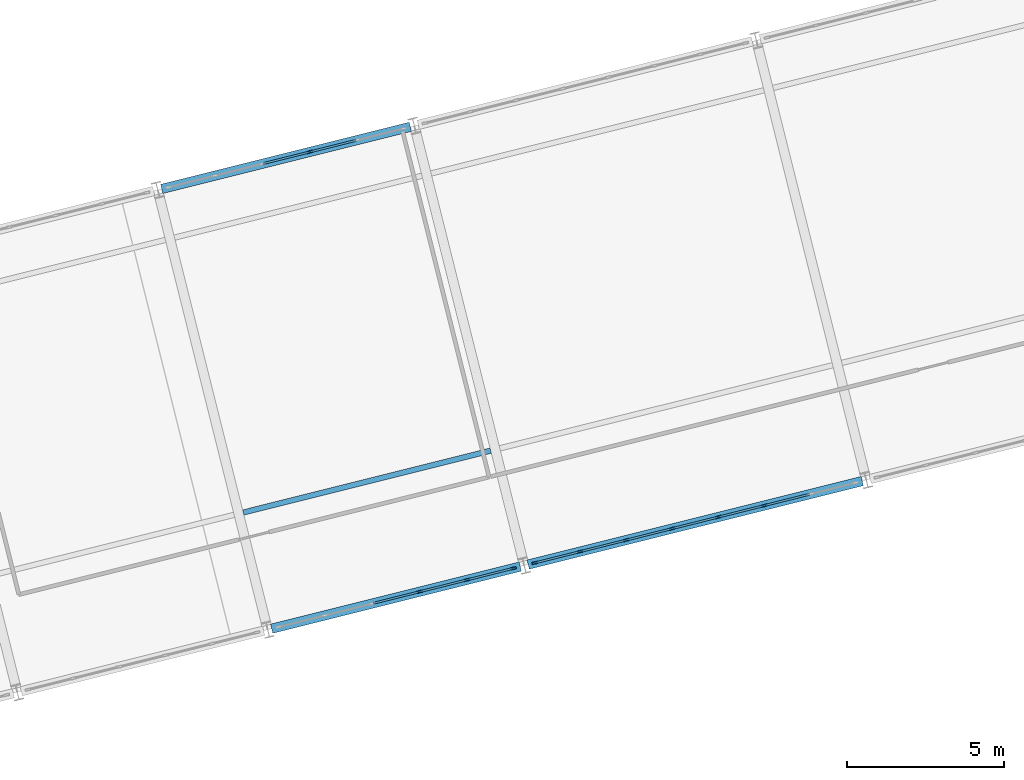
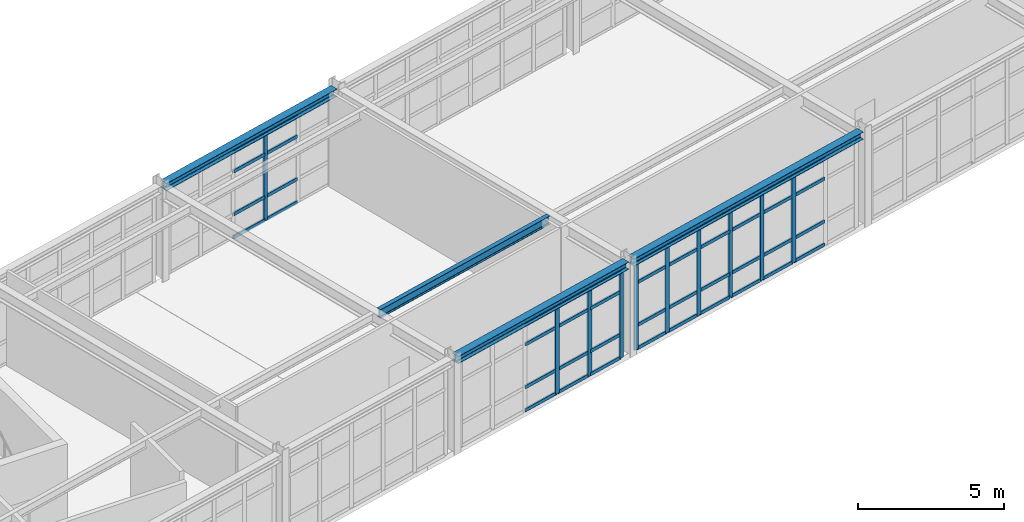
# One storey, part 21 of 88: 54 members, 4 beams, 3 elements without a shape of their own.
"""IFC4 building model written with IfcOpenShell, lengths in metres."""

from ifc_helpers import new_model, si_unit, direction, frame, origin, origin_2d, place, context, subcontext, project, spatial, rectangle, i_section, extrude, material, layer, layer_set, material_profile, profile_set, type_object, element, aggregate, save


model = new_model("IFC4")

# Units and contexts
model_context = context("Model", 3, precision=1e-05, world=origin(), true_north=direction((0.0, 1.0)))
body_context = subcontext(model_context, "Body", "Model", "MODEL_VIEW")
ifc_project = project(units=[si_unit("LENGTHUNIT", "METRE"), si_unit("AREAUNIT", "SQUARE_METRE"), si_unit("VOLUMEUNIT", "CUBIC_METRE"), si_unit("PLANEANGLEUNIT", "RADIAN"), si_unit("MASSUNIT", "GRAM", prefix="KILO")], contexts=[model_context])

# Site, building, storey
site_placement = place(None, origin())
site = spatial("IfcSite", under=ifc_project, at=site_placement, CompositionType="ELEMENT")
building_placement = place(site_placement, origin())
building = spatial("IfcBuilding", under=site, at=building_placement, Name="Nordkorset Police Headquarters", CompositionType="ELEMENT")
storey_placement = place(building_placement, frame((0.0, 0.0, 9.449951171875)))
storey = spatial("IfcBuildingStorey", under=building, at=storey_placement, Name="L02", CompositionType="ELEMENT", Elevation=9.449951171875)

# Beam
ifc_material_1 = material(Name="Steel S355J2", Category="steel")
ifc_material_profile_1 = material_profile(ifc_material_1, i_section(OverallWidth=0.169921875, OverallDepth=0.360107421875, WebThickness=0.008056640625, FlangeThickness=0.0126953125, FilletRadius=0.01806640625, at=origin_2d()), Name="IPE 360")
ifc_profile_set_1 = profile_set([ifc_material_profile_1], Name="Steel S355J2")
beam_type_1 = type_object("IfcBeamType", Name="Beam_IPE_360", PredefinedType="BEAM", material=ifc_profile_set_1)
beam_1_placement = place(storey_placement, frame((42.61474609375, 50.670654296875, 3.7900390625), z_axis=(0.970140727133, 0.242542716974, 0.0), x_axis=(-0.242542716974, 0.970140727133, 0.0)))
element("IfcBeam", 1, at=beam_1_placement, inside=storey, type_object=beam_type_1, Name="Splayed Wing Secondary Beam L02 2-1", PredefinedType="BEAM", context=body_context, shape_type="SweptSolid", body=[
    extrude(i_section(OverallWidth=0.169921875, OverallDepth=0.360107421875, WebThickness=0.008056640625, FlangeThickness=0.0126953125, FilletRadius=0.01806640625, at=origin_2d()), origin(), (0.0, 0.0, 1.0), 8.10009765625),
])

# Curtain wall, members
ifc_material_2 = material(Name="Aluminium alloy AW-6060", Category="aluminium")
ifc_layer_1 = layer(ifc_material_2, 0.179931640625, Name="Aluminium alloy AW-6060")
ifc_layer_set_1 = layer_set([ifc_layer_1], Name="Aluminium alloy AW-6060")
curtain_wall_type_1 = type_object("IfcCurtainWallType", Name="CW_Unit_776x364", PredefinedType="USERDEFINED", material=ifc_layer_set_1)
curtain_wall_1_placement = place(storey_placement, origin())
curtain_wall_1 = element("IfcCurtainWall", 2, at=curtain_wall_1_placement, inside=storey, type_object=curtain_wall_type_1, Name="Unitised Curtain Wall L02 V4S-2", ObjectType="UNITISED CURTAIN WALL", PredefinedType="USERDEFINED")
ifc_material_3 = material(Name="Aluminium alloy AW-6060", Category="aluminium")
ifc_material_profile_2 = material_profile(ifc_material_3, rectangle(XDim=0.06494140625, YDim=0.179931640625, at=origin_2d()), Name="ALU MULL 65x180")
ifc_profile_set_2 = profile_set([ifc_material_profile_2], Name="Aluminium alloy AW-6060")
member_type_1 = type_object("IfcMemberType", Name="CW_Mullion_65x180", PredefinedType="MULLION", material=ifc_profile_set_2)
member_1_placement = place(storey_placement, frame((48.21826171875, 48.154541015625, 0.0), z_axis=(0.0, 0.0, 1.0), x_axis=(-0.24253471539, 0.970142727556, 0.0)))
member_1 = element("IfcMember", 3, at=member_1_placement, type_object=member_type_1, Name="CW-100 mullion 4", PredefinedType="MULLION", context=body_context, shape_type="SweptSolid", body=[
    extrude(rectangle(XDim=0.06494140625, YDim=0.179931640625, at=origin_2d()), origin(), (0.0, 0.0, 1.0), 3.64013671875),
])
member_2_placement = place(storey_placement, frame((49.723876953125, 48.531005859375, 0.0), z_axis=(0.0, 0.0, 1.0), x_axis=(-0.24253471539, 0.970142727556, 0.0)))
member_2 = element("IfcMember", 4, at=member_2_placement, type_object=member_type_1, Name="CW-100 mullion 5", PredefinedType="MULLION", context=body_context, shape_type="SweptSolid", body=[
    extrude(rectangle(XDim=0.06494140625, YDim=0.179931640625, at=origin_2d()), origin(), (0.0, 0.0, 1.0), 3.64013671875),
])
member_3_placement = place(storey_placement, frame((51.1982421875, 48.8994140625, 0.0), z_axis=(0.0, 0.0, 1.0), x_axis=(-0.24253471539, 0.970142727556, 0.0)))
member_3 = element("IfcMember", 5, at=member_3_placement, type_object=member_type_1, Name="CW-100 mullion 6", PredefinedType="MULLION", context=body_context, shape_type="SweptSolid", body=[
    extrude(rectangle(XDim=0.06494140625, YDim=0.179931640625, at=origin_2d()), origin(), (0.0, 0.0, 1.0), 3.64013671875),
])

# Curtain wall, member
curtain_wall_2_placement = place(storey_placement, origin())
curtain_wall_2 = element("IfcCurtainWall", 6, at=curtain_wall_2_placement, inside=storey, type_object=curtain_wall_type_1, Name="Unitised Curtain Wall L02 V4N-2", ObjectType="UNITISED CURTAIN WALL", PredefinedType="USERDEFINED")
member_4_placement = place(storey_placement, frame((44.725830078125, 62.124755859375, 0.0), z_axis=(0.0, 0.0, 1.0), x_axis=(-0.242535928242, 0.970142424344, 0.0)))
member_4 = element("IfcMember", 7, at=member_4_placement, type_object=member_type_1, Name="CW-100 mullion 4", PredefinedType="MULLION", context=body_context, shape_type="SweptSolid", body=[
    extrude(rectangle(XDim=0.06494140625, YDim=0.179931640625, at=origin_2d()), origin(), (0.0, 0.0, 1.0), 3.64013671875),
])

# Curtain wall, members
ifc_material_4 = material(Name="Aluminium alloy AW-6060", Category="aluminium")
ifc_layer_2 = layer(ifc_material_4, 0.179931640625, Name="Aluminium alloy AW-6060")
ifc_layer_set_2 = layer_set([ifc_layer_2], Name="Aluminium alloy AW-6060")
curtain_wall_type_2 = type_object("IfcCurtainWallType", Name="CW_Unit_1056x364", PredefinedType="USERDEFINED", material=ifc_layer_set_2)
curtain_wall_3_placement = place(storey_placement, origin())
curtain_wall_3 = element("IfcCurtainWall", 8, at=curtain_wall_3_placement, inside=storey, type_object=curtain_wall_type_2, Name="Unitised Curtain Wall L02 V4S-3", ObjectType="UNITISED CURTAIN WALL", PredefinedType="USERDEFINED")
member_5_placement = place(storey_placement, frame((51.882080078125, 49.070556640625, 0.0), z_axis=(0.0, 0.0, 1.0), x_axis=(-0.242535179399, 0.970142611554, 0.0)))
member_5 = element("IfcMember", 9, at=member_5_placement, type_object=member_type_1, Name="CW-31 mullion 1", PredefinedType="MULLION", context=body_context, shape_type="SweptSolid", body=[
    extrude(rectangle(XDim=0.06494140625, YDim=0.179931640625, at=origin_2d()), origin(), (0.0, 0.0, 1.0), 3.64013671875),
])
member_6_placement = place(storey_placement, frame((53.31396484375, 49.428466796875, 0.0), z_axis=(0.0, 0.0, 1.0), x_axis=(-0.242535179399, 0.970142611554, 0.0)))
member_6 = element("IfcMember", 10, at=member_6_placement, type_object=member_type_1, Name="CW-31 mullion 2", PredefinedType="MULLION", context=body_context, shape_type="SweptSolid", body=[
    extrude(rectangle(XDim=0.06494140625, YDim=0.179931640625, at=origin_2d()), origin(), (0.0, 0.0, 1.0), 3.64013671875),
])
member_7_placement = place(storey_placement, frame((54.777587890625, 49.79443359375, 0.0), z_axis=(0.0, 0.0, 1.0), x_axis=(-0.242535179399, 0.970142611554, 0.0)))
member_7 = element("IfcMember", 11, at=member_7_placement, type_object=member_type_1, Name="CW-31 mullion 3", PredefinedType="MULLION", context=body_context, shape_type="SweptSolid", body=[
    extrude(rectangle(XDim=0.06494140625, YDim=0.179931640625, at=origin_2d()), origin(), (0.0, 0.0, 1.0), 3.64013671875),
])
member_8_placement = place(storey_placement, frame((56.2412109375, 50.160400390625, 0.0), z_axis=(0.0, 0.0, 1.0), x_axis=(-0.242535179399, 0.970142611554, 0.0)))
member_8 = element("IfcMember", 12, at=member_8_placement, type_object=member_type_1, Name="CW-31 mullion 4", PredefinedType="MULLION", context=body_context, shape_type="SweptSolid", body=[
    extrude(rectangle(XDim=0.06494140625, YDim=0.179931640625, at=origin_2d()), origin(), (0.0, 0.0, 1.0), 3.64013671875),
])
member_9_placement = place(storey_placement, frame((57.70458984375, 50.526123046875, 0.0), z_axis=(0.0, 0.0, 1.0), x_axis=(-0.242535179399, 0.970142611554, 0.0)))
member_9 = element("IfcMember", 13, at=member_9_placement, type_object=member_type_1, Name="CW-31 mullion 5", PredefinedType="MULLION", context=body_context, shape_type="SweptSolid", body=[
    extrude(rectangle(XDim=0.06494140625, YDim=0.179931640625, at=origin_2d()), origin(), (0.0, 0.0, 1.0), 3.64013671875),
])
member_10_placement = place(storey_placement, frame((59.168212890625, 50.89208984375, 0.0), z_axis=(0.0, 0.0, 1.0), x_axis=(-0.242535179399, 0.970142611554, 0.0)))
member_10 = element("IfcMember", 14, at=member_10_placement, type_object=member_type_1, Name="CW-31 mullion 6", PredefinedType="MULLION", context=body_context, shape_type="SweptSolid", body=[
    extrude(rectangle(XDim=0.06494140625, YDim=0.179931640625, at=origin_2d()), origin(), (0.0, 0.0, 1.0), 3.64013671875),
])

# Member
ifc_material_5 = material(Name="Aluminium alloy AW-6060", Category="aluminium")
ifc_material_profile_3 = material_profile(ifc_material_5, rectangle(XDim=0.06494140625, YDim=0.139892578125, at=origin_2d()), Name="ALU TRAN 65x140")
ifc_profile_set_3 = profile_set([ifc_material_profile_3], Name="Aluminium alloy AW-6060")
member_type_2 = type_object("IfcMemberType", Name="CW_Transom_65x140", PredefinedType="USERDEFINED", material=ifc_profile_set_3)
member_11_placement = place(storey_placement, frame((46.744140625, 47.7861328125, 0.032470703125), z_axis=(0.970152157148, 0.242496993757, 0.0), x_axis=(-0.242496993757, 0.970152157148, 0.0)))
member_11 = element("IfcMember", 15, at=member_11_placement, type_object=member_type_2, Name="CW-100 transom 3.1", ObjectType="TRANSOM", PredefinedType="USERDEFINED", context=body_context, shape_type="SweptSolid", body=[
    extrude(rectangle(XDim=0.06494140625, YDim=0.139892578125, at=origin_2d()), origin(), (0.0, 0.0, 1.0), 1.487060546875),
])

member_12_placement = place(storey_placement, frame((46.744140625, 47.7861328125, 1.0), z_axis=(0.970152157148, 0.242496993757, 0.0), x_axis=(-0.242496993757, 0.970152157148, 0.0)))
member_12 = element("IfcMember", 16, at=member_12_placement, type_object=member_type_2, Name="CW-100 transom 3.2", ObjectType="TRANSOM", PredefinedType="USERDEFINED", context=body_context, shape_type="SweptSolid", body=[
    extrude(rectangle(XDim=0.06494140625, YDim=0.139892578125, at=origin_2d()), origin(), (0.0, 0.0, 1.0), 1.487060546875),
])

member_13_placement = place(storey_placement, frame((46.744140625, 47.7861328125, 2.7900390625), z_axis=(0.970152157148, 0.242496993757, 0.0), x_axis=(-0.242496993757, 0.970152157148, 0.0)))
member_13 = element("IfcMember", 17, at=member_13_placement, type_object=member_type_2, Name="CW-100 transom 3.3", ObjectType="TRANSOM", PredefinedType="USERDEFINED", context=body_context, shape_type="SweptSolid", body=[
    extrude(rectangle(XDim=0.06494140625, YDim=0.139892578125, at=origin_2d()), origin(), (0.0, 0.0, 1.0), 1.487060546875),
])

member_14_placement = place(storey_placement, frame((46.744140625, 47.7861328125, 3.607666015625), z_axis=(0.970152157148, 0.242496993757, 0.0), x_axis=(-0.242496993757, 0.970152157148, 0.0)))
member_14 = element("IfcMember", 18, at=member_14_placement, type_object=member_type_2, Name="CW-100 transom 3.4", ObjectType="TRANSOM", PredefinedType="USERDEFINED", context=body_context, shape_type="SweptSolid", body=[
    extrude(rectangle(XDim=0.06494140625, YDim=0.139892578125, at=origin_2d()), origin(), (0.0, 0.0, 1.0), 1.487060546875),
])

member_15_placement = place(storey_placement, frame((48.249755859375, 48.162353515625, 0.032470703125), z_axis=(0.970113521062, 0.242651511953, 0.0), x_axis=(-0.242651511953, 0.970113521062, 0.0)))
member_15 = element("IfcMember", 19, at=member_15_placement, type_object=member_type_2, Name="CW-100 transom 4.1", ObjectType="TRANSOM", PredefinedType="USERDEFINED", context=body_context, shape_type="SweptSolid", body=[
    extrude(rectangle(XDim=0.06494140625, YDim=0.139892578125, at=origin_2d()), origin(), (0.0, 0.0, 1.0), 1.487060546875),
])

member_16_placement = place(storey_placement, frame((48.249755859375, 48.162353515625, 1.0), z_axis=(0.970113521062, 0.242651511953, 0.0), x_axis=(-0.242651511953, 0.970113521062, 0.0)))
member_16 = element("IfcMember", 20, at=member_16_placement, type_object=member_type_2, Name="CW-100 transom 4.2", ObjectType="TRANSOM", PredefinedType="USERDEFINED", context=body_context, shape_type="SweptSolid", body=[
    extrude(rectangle(XDim=0.06494140625, YDim=0.139892578125, at=origin_2d()), origin(), (0.0, 0.0, 1.0), 1.487060546875),
])

member_17_placement = place(storey_placement, frame((48.249755859375, 48.162353515625, 2.7900390625), z_axis=(0.970113521062, 0.242651511953, 0.0), x_axis=(-0.242651511953, 0.970113521062, 0.0)))
member_17 = element("IfcMember", 21, at=member_17_placement, type_object=member_type_2, Name="CW-100 transom 4.3", ObjectType="TRANSOM", PredefinedType="USERDEFINED", context=body_context, shape_type="SweptSolid", body=[
    extrude(rectangle(XDim=0.06494140625, YDim=0.139892578125, at=origin_2d()), origin(), (0.0, 0.0, 1.0), 1.487060546875),
])

member_18_placement = place(storey_placement, frame((48.249755859375, 48.162353515625, 3.607666015625), z_axis=(0.970113521062, 0.242651511953, 0.0), x_axis=(-0.242651511953, 0.970113521062, 0.0)))
member_18 = element("IfcMember", 22, at=member_18_placement, type_object=member_type_2, Name="CW-100 transom 4.4", ObjectType="TRANSOM", PredefinedType="USERDEFINED", context=body_context, shape_type="SweptSolid", body=[
    extrude(rectangle(XDim=0.06494140625, YDim=0.139892578125, at=origin_2d()), origin(), (0.0, 0.0, 1.0), 1.487060546875),
])

member_19_placement = place(storey_placement, frame((49.755615234375, 48.538818359375, 0.032470703125), z_axis=(0.970132624514, 0.242575124143, 0.0), x_axis=(-0.242575124143, 0.970132624514, 0.0)))
member_19 = element("IfcMember", 23, at=member_19_placement, type_object=member_type_2, Name="CW-100 transom 5.1", ObjectType="TRANSOM", PredefinedType="USERDEFINED", context=body_context, shape_type="SweptSolid", body=[
    extrude(rectangle(XDim=0.06494140625, YDim=0.139892578125, at=origin_2d()), origin(), (0.0, 0.0, 1.0), 1.454345703125),
])

member_20_placement = place(storey_placement, frame((49.755615234375, 48.538818359375, 1.0), z_axis=(0.970132624514, 0.242575124143, 0.0), x_axis=(-0.242575124143, 0.970132624514, 0.0)))
member_20 = element("IfcMember", 24, at=member_20_placement, type_object=member_type_2, Name="CW-100 transom 5.2", ObjectType="TRANSOM", PredefinedType="USERDEFINED", context=body_context, shape_type="SweptSolid", body=[
    extrude(rectangle(XDim=0.06494140625, YDim=0.139892578125, at=origin_2d()), origin(), (0.0, 0.0, 1.0), 1.454345703125),
])

member_21_placement = place(storey_placement, frame((49.755615234375, 48.538818359375, 2.7900390625), z_axis=(0.970132624514, 0.242575124143, 0.0), x_axis=(-0.242575124143, 0.970132624514, 0.0)))
member_21 = element("IfcMember", 25, at=member_21_placement, type_object=member_type_2, Name="CW-100 transom 5.3", ObjectType="TRANSOM", PredefinedType="USERDEFINED", context=body_context, shape_type="SweptSolid", body=[
    extrude(rectangle(XDim=0.06494140625, YDim=0.139892578125, at=origin_2d()), origin(), (0.0, 0.0, 1.0), 1.454345703125),
])

member_22_placement = place(storey_placement, frame((49.755615234375, 48.538818359375, 3.607666015625), z_axis=(0.970132624514, 0.242575124143, 0.0), x_axis=(-0.242575124143, 0.970132624514, 0.0)))
member_22 = element("IfcMember", 26, at=member_22_placement, type_object=member_type_2, Name="CW-100 transom 5.4", ObjectType="TRANSOM", PredefinedType="USERDEFINED", context=body_context, shape_type="SweptSolid", body=[
    extrude(rectangle(XDim=0.06494140625, YDim=0.139892578125, at=origin_2d()), origin(), (0.0, 0.0, 1.0), 1.454345703125),
])

aggregate(curtain_wall_1, [member_1, member_2, member_3, member_11, member_12, member_13, member_14, member_15, member_16, member_17, member_18, member_19, member_20, member_21, member_22])

member_23_placement = place(storey_placement, frame((43.251708984375, 61.756103515625, 0.032470703125), z_axis=(0.970152157148, 0.242496993757, 0.0), x_axis=(-0.242496993757, 0.970152157148, 0.0)))
member_23 = element("IfcMember", 27, at=member_23_placement, type_object=member_type_2, Name="CW-100 transom 3.1", ObjectType="TRANSOM", PredefinedType="USERDEFINED", context=body_context, shape_type="SweptSolid", body=[
    extrude(rectangle(XDim=0.06494140625, YDim=0.139892578125, at=origin_2d()), origin(), (0.0, 0.0, 1.0), 1.487060546875),
])

member_24_placement = place(storey_placement, frame((43.251708984375, 61.756103515625, 1.0), z_axis=(0.970152157148, 0.242496993757, 0.0), x_axis=(-0.242496993757, 0.970152157148, 0.0)))
member_24 = element("IfcMember", 28, at=member_24_placement, type_object=member_type_2, Name="CW-100 transom 3.2", ObjectType="TRANSOM", PredefinedType="USERDEFINED", context=body_context, shape_type="SweptSolid", body=[
    extrude(rectangle(XDim=0.06494140625, YDim=0.139892578125, at=origin_2d()), origin(), (0.0, 0.0, 1.0), 1.487060546875),
])

member_25_placement = place(storey_placement, frame((43.251708984375, 61.756103515625, 2.7900390625), z_axis=(0.970152157148, 0.242496993757, 0.0), x_axis=(-0.242496993757, 0.970152157148, 0.0)))
member_25 = element("IfcMember", 29, at=member_25_placement, type_object=member_type_2, Name="CW-100 transom 3.3", ObjectType="TRANSOM", PredefinedType="USERDEFINED", context=body_context, shape_type="SweptSolid", body=[
    extrude(rectangle(XDim=0.06494140625, YDim=0.139892578125, at=origin_2d()), origin(), (0.0, 0.0, 1.0), 1.487060546875),
])

member_26_placement = place(storey_placement, frame((43.251708984375, 61.756103515625, 3.607666015625), z_axis=(0.970152157148, 0.242496993757, 0.0), x_axis=(-0.242496993757, 0.970152157148, 0.0)))
member_26 = element("IfcMember", 30, at=member_26_placement, type_object=member_type_2, Name="CW-100 transom 3.4", ObjectType="TRANSOM", PredefinedType="USERDEFINED", context=body_context, shape_type="SweptSolid", body=[
    extrude(rectangle(XDim=0.06494140625, YDim=0.139892578125, at=origin_2d()), origin(), (0.0, 0.0, 1.0), 1.487060546875),
])

member_27_placement = place(storey_placement, frame((44.75732421875, 62.132568359375, 0.032470703125), z_axis=(0.970152157148, 0.242496993757, 0.0), x_axis=(-0.242496993757, 0.970152157148, 0.0)))
member_27 = element("IfcMember", 31, at=member_27_placement, type_object=member_type_2, Name="CW-100 transom 4.1", ObjectType="TRANSOM", PredefinedType="USERDEFINED", context=body_context, shape_type="SweptSolid", body=[
    extrude(rectangle(XDim=0.06494140625, YDim=0.139892578125, at=origin_2d()), origin(), (0.0, 0.0, 1.0), 1.487060546875),
])

member_28_placement = place(storey_placement, frame((44.75732421875, 62.132568359375, 1.0), z_axis=(0.970152157148, 0.242496993757, 0.0), x_axis=(-0.242496993757, 0.970152157148, 0.0)))
member_28 = element("IfcMember", 32, at=member_28_placement, type_object=member_type_2, Name="CW-100 transom 4.2", ObjectType="TRANSOM", PredefinedType="USERDEFINED", context=body_context, shape_type="SweptSolid", body=[
    extrude(rectangle(XDim=0.06494140625, YDim=0.139892578125, at=origin_2d()), origin(), (0.0, 0.0, 1.0), 1.487060546875),
])

member_29_placement = place(storey_placement, frame((44.75732421875, 62.132568359375, 2.7900390625), z_axis=(0.970152157148, 0.242496993757, 0.0), x_axis=(-0.242496993757, 0.970152157148, 0.0)))
member_29 = element("IfcMember", 33, at=member_29_placement, type_object=member_type_2, Name="CW-100 transom 4.3", ObjectType="TRANSOM", PredefinedType="USERDEFINED", context=body_context, shape_type="SweptSolid", body=[
    extrude(rectangle(XDim=0.06494140625, YDim=0.139892578125, at=origin_2d()), origin(), (0.0, 0.0, 1.0), 1.487060546875),
])

member_30_placement = place(storey_placement, frame((44.75732421875, 62.132568359375, 3.607666015625), z_axis=(0.970152157148, 0.242496993757, 0.0), x_axis=(-0.242496993757, 0.970152157148, 0.0)))
member_30 = element("IfcMember", 34, at=member_30_placement, type_object=member_type_2, Name="CW-100 transom 4.4", ObjectType="TRANSOM", PredefinedType="USERDEFINED", context=body_context, shape_type="SweptSolid", body=[
    extrude(rectangle(XDim=0.06494140625, YDim=0.139892578125, at=origin_2d()), origin(), (0.0, 0.0, 1.0), 1.487060546875),
])

aggregate(curtain_wall_2, [member_4, member_23, member_24, member_25, member_26, member_27, member_28, member_29, member_30])

member_31_placement = place(storey_placement, frame((51.91357421875, 49.078369140625, 0.032470703125), z_axis=(0.970132321548, 0.242576335796, 0.0), x_axis=(-0.242576335796, 0.970132321548, 0.0)))
member_31 = element("IfcMember", 35, at=member_31_placement, type_object=member_type_2, Name="CW-31 transom 1.1", ObjectType="TRANSOM", PredefinedType="USERDEFINED", context=body_context, shape_type="SweptSolid", body=[
    extrude(rectangle(XDim=0.06494140625, YDim=0.139892578125, at=origin_2d()), origin(), (0.0, 0.0, 1.0), 1.4111328125),
])

member_32_placement = place(storey_placement, frame((51.91357421875, 49.078369140625, 1.0), z_axis=(0.970132321548, 0.242576335796, 0.0), x_axis=(-0.242576335796, 0.970132321548, 0.0)))
member_32 = element("IfcMember", 36, at=member_32_placement, type_object=member_type_2, Name="CW-31 transom 1.2", ObjectType="TRANSOM", PredefinedType="USERDEFINED", context=body_context, shape_type="SweptSolid", body=[
    extrude(rectangle(XDim=0.06494140625, YDim=0.139892578125, at=origin_2d()), origin(), (0.0, 0.0, 1.0), 1.4111328125),
])

member_33_placement = place(storey_placement, frame((51.91357421875, 49.078369140625, 2.7900390625), z_axis=(0.970132321548, 0.242576335796, 0.0), x_axis=(-0.242576335796, 0.970132321548, 0.0)))
member_33 = element("IfcMember", 37, at=member_33_placement, type_object=member_type_2, Name="CW-31 transom 1.3", ObjectType="TRANSOM", PredefinedType="USERDEFINED", context=body_context, shape_type="SweptSolid", body=[
    extrude(rectangle(XDim=0.06494140625, YDim=0.139892578125, at=origin_2d()), origin(), (0.0, 0.0, 1.0), 1.4111328125),
])

member_34_placement = place(storey_placement, frame((51.91357421875, 49.078369140625, 3.607666015625), z_axis=(0.970132321548, 0.242576335796, 0.0), x_axis=(-0.242576335796, 0.970132321548, 0.0)))
member_34 = element("IfcMember", 38, at=member_34_placement, type_object=member_type_2, Name="CW-31 transom 1.4", ObjectType="TRANSOM", PredefinedType="USERDEFINED", context=body_context, shape_type="SweptSolid", body=[
    extrude(rectangle(XDim=0.06494140625, YDim=0.139892578125, at=origin_2d()), origin(), (0.0, 0.0, 1.0), 1.4111328125),
])

member_35_placement = place(storey_placement, frame((53.345703125, 49.4365234375, 0.032470703125), z_axis=(0.970142500145, 0.242535625036, 0.0), x_axis=(-0.242535625036, 0.970142500145, 0.0)))
member_35 = element("IfcMember", 39, at=member_35_placement, type_object=member_type_2, Name="CW-31 transom 2.1", ObjectType="TRANSOM", PredefinedType="USERDEFINED", context=body_context, shape_type="SweptSolid", body=[
    extrude(rectangle(XDim=0.06494140625, YDim=0.139892578125, at=origin_2d()), origin(), (0.0, 0.0, 1.0), 1.443603515625),
])

member_36_placement = place(storey_placement, frame((53.345703125, 49.4365234375, 1.0), z_axis=(0.970142500145, 0.242535625036, 0.0), x_axis=(-0.242535625036, 0.970142500145, 0.0)))
member_36 = element("IfcMember", 40, at=member_36_placement, type_object=member_type_2, Name="CW-31 transom 2.2", ObjectType="TRANSOM", PredefinedType="USERDEFINED", context=body_context, shape_type="SweptSolid", body=[
    extrude(rectangle(XDim=0.06494140625, YDim=0.139892578125, at=origin_2d()), origin(), (0.0, 0.0, 1.0), 1.443603515625),
])

member_37_placement = place(storey_placement, frame((53.345703125, 49.4365234375, 2.7900390625), z_axis=(0.970142500145, 0.242535625036, 0.0), x_axis=(-0.242535625036, 0.970142500145, 0.0)))
member_37 = element("IfcMember", 41, at=member_37_placement, type_object=member_type_2, Name="CW-31 transom 2.3", ObjectType="TRANSOM", PredefinedType="USERDEFINED", context=body_context, shape_type="SweptSolid", body=[
    extrude(rectangle(XDim=0.06494140625, YDim=0.139892578125, at=origin_2d()), origin(), (0.0, 0.0, 1.0), 1.443603515625),
])

member_38_placement = place(storey_placement, frame((53.345703125, 49.4365234375, 3.607666015625), z_axis=(0.970142500145, 0.242535625036, 0.0), x_axis=(-0.242535625036, 0.970142500145, 0.0)))
member_38 = element("IfcMember", 42, at=member_38_placement, type_object=member_type_2, Name="CW-31 transom 2.4", ObjectType="TRANSOM", PredefinedType="USERDEFINED", context=body_context, shape_type="SweptSolid", body=[
    extrude(rectangle(XDim=0.06494140625, YDim=0.139892578125, at=origin_2d()), origin(), (0.0, 0.0, 1.0), 1.443603515625),
])

member_39_placement = place(storey_placement, frame((54.80908203125, 49.80224609375, 0.032470703125), z_axis=(0.970152446652, 0.242495835541, 0.0), x_axis=(-0.242495835541, 0.970152446652, 0.0)))
member_39 = element("IfcMember", 43, at=member_39_placement, type_object=member_type_2, Name="CW-31 transom 3.1", ObjectType="TRANSOM", PredefinedType="USERDEFINED", context=body_context, shape_type="SweptSolid", body=[
    extrude(rectangle(XDim=0.06494140625, YDim=0.139892578125, at=origin_2d()), origin(), (0.0, 0.0, 1.0), 1.44384765625),
])

member_40_placement = place(storey_placement, frame((54.80908203125, 49.80224609375, 1.0), z_axis=(0.970152446652, 0.242495835541, 0.0), x_axis=(-0.242495835541, 0.970152446652, 0.0)))
member_40 = element("IfcMember", 44, at=member_40_placement, type_object=member_type_2, Name="CW-31 transom 3.2", ObjectType="TRANSOM", PredefinedType="USERDEFINED", context=body_context, shape_type="SweptSolid", body=[
    extrude(rectangle(XDim=0.06494140625, YDim=0.139892578125, at=origin_2d()), origin(), (0.0, 0.0, 1.0), 1.44384765625),
])

member_41_placement = place(storey_placement, frame((54.80908203125, 49.80224609375, 2.7900390625), z_axis=(0.970152446652, 0.242495835541, 0.0), x_axis=(-0.242495835541, 0.970152446652, 0.0)))
member_41 = element("IfcMember", 45, at=member_41_placement, type_object=member_type_2, Name="CW-31 transom 3.3", ObjectType="TRANSOM", PredefinedType="USERDEFINED", context=body_context, shape_type="SweptSolid", body=[
    extrude(rectangle(XDim=0.06494140625, YDim=0.139892578125, at=origin_2d()), origin(), (0.0, 0.0, 1.0), 1.44384765625),
])

member_42_placement = place(storey_placement, frame((54.80908203125, 49.80224609375, 3.607666015625), z_axis=(0.970152446652, 0.242495835541, 0.0), x_axis=(-0.242495835541, 0.970152446652, 0.0)))
member_42 = element("IfcMember", 46, at=member_42_placement, type_object=member_type_2, Name="CW-31 transom 3.4", ObjectType="TRANSOM", PredefinedType="USERDEFINED", context=body_context, shape_type="SweptSolid", body=[
    extrude(rectangle(XDim=0.06494140625, YDim=0.139892578125, at=origin_2d()), origin(), (0.0, 0.0, 1.0), 1.44384765625),
])

member_43_placement = place(storey_placement, frame((56.272705078125, 50.168212890625, 0.032470703125), z_axis=(0.970142500145, 0.242535625036, 0.0), x_axis=(-0.242535625036, 0.970142500145, 0.0)))
member_43 = element("IfcMember", 47, at=member_43_placement, type_object=member_type_2, Name="CW-31 transom 4.1", ObjectType="TRANSOM", PredefinedType="USERDEFINED", context=body_context, shape_type="SweptSolid", body=[
    extrude(rectangle(XDim=0.06494140625, YDim=0.139892578125, at=origin_2d()), origin(), (0.0, 0.0, 1.0), 1.443603515625),
])

member_44_placement = place(storey_placement, frame((56.272705078125, 50.168212890625, 1.0), z_axis=(0.970142500145, 0.242535625036, 0.0), x_axis=(-0.242535625036, 0.970142500145, 0.0)))
member_44 = element("IfcMember", 48, at=member_44_placement, type_object=member_type_2, Name="CW-31 transom 4.2", ObjectType="TRANSOM", PredefinedType="USERDEFINED", context=body_context, shape_type="SweptSolid", body=[
    extrude(rectangle(XDim=0.06494140625, YDim=0.139892578125, at=origin_2d()), origin(), (0.0, 0.0, 1.0), 1.443603515625),
])

member_45_placement = place(storey_placement, frame((56.272705078125, 50.168212890625, 2.7900390625), z_axis=(0.970142500145, 0.242535625036, 0.0), x_axis=(-0.242535625036, 0.970142500145, 0.0)))
member_45 = element("IfcMember", 49, at=member_45_placement, type_object=member_type_2, Name="CW-31 transom 4.3", ObjectType="TRANSOM", PredefinedType="USERDEFINED", context=body_context, shape_type="SweptSolid", body=[
    extrude(rectangle(XDim=0.06494140625, YDim=0.139892578125, at=origin_2d()), origin(), (0.0, 0.0, 1.0), 1.443603515625),
])

member_46_placement = place(storey_placement, frame((56.272705078125, 50.168212890625, 3.607666015625), z_axis=(0.970142500145, 0.242535625036, 0.0), x_axis=(-0.242535625036, 0.970142500145, 0.0)))
member_46 = element("IfcMember", 50, at=member_46_placement, type_object=member_type_2, Name="CW-31 transom 4.4", ObjectType="TRANSOM", PredefinedType="USERDEFINED", context=body_context, shape_type="SweptSolid", body=[
    extrude(rectangle(XDim=0.06494140625, YDim=0.139892578125, at=origin_2d()), origin(), (0.0, 0.0, 1.0), 1.443603515625),
])

member_47_placement = place(storey_placement, frame((57.736083984375, 50.533935546875, 0.032470703125), z_axis=(0.970112652058, 0.242654986178, 0.0), x_axis=(-0.242654986178, 0.970112652058, 0.0)))
member_47 = element("IfcMember", 51, at=member_47_placement, type_object=member_type_2, Name="CW-31 transom 5.1", ObjectType="TRANSOM", PredefinedType="USERDEFINED", context=body_context, shape_type="SweptSolid", body=[
    extrude(rectangle(XDim=0.06494140625, YDim=0.139892578125, at=origin_2d()), origin(), (0.0, 0.0, 1.0), 1.44384765625),
])

member_48_placement = place(storey_placement, frame((57.736083984375, 50.533935546875, 1.0), z_axis=(0.970112652058, 0.242654986178, 0.0), x_axis=(-0.242654986178, 0.970112652058, 0.0)))
member_48 = element("IfcMember", 52, at=member_48_placement, type_object=member_type_2, Name="CW-31 transom 5.2", ObjectType="TRANSOM", PredefinedType="USERDEFINED", context=body_context, shape_type="SweptSolid", body=[
    extrude(rectangle(XDim=0.06494140625, YDim=0.139892578125, at=origin_2d()), origin(), (0.0, 0.0, 1.0), 1.44384765625),
])

member_49_placement = place(storey_placement, frame((57.736083984375, 50.533935546875, 2.7900390625), z_axis=(0.970112652058, 0.242654986178, 0.0), x_axis=(-0.242654986178, 0.970112652058, 0.0)))
member_49 = element("IfcMember", 53, at=member_49_placement, type_object=member_type_2, Name="CW-31 transom 5.3", ObjectType="TRANSOM", PredefinedType="USERDEFINED", context=body_context, shape_type="SweptSolid", body=[
    extrude(rectangle(XDim=0.06494140625, YDim=0.139892578125, at=origin_2d()), origin(), (0.0, 0.0, 1.0), 1.44384765625),
])

member_50_placement = place(storey_placement, frame((57.736083984375, 50.533935546875, 3.607666015625), z_axis=(0.970112652058, 0.242654986178, 0.0), x_axis=(-0.242654986178, 0.970112652058, 0.0)))
member_50 = element("IfcMember", 54, at=member_50_placement, type_object=member_type_2, Name="CW-31 transom 5.4", ObjectType="TRANSOM", PredefinedType="USERDEFINED", context=body_context, shape_type="SweptSolid", body=[
    extrude(rectangle(XDim=0.06494140625, YDim=0.139892578125, at=origin_2d()), origin(), (0.0, 0.0, 1.0), 1.44384765625),
])

member_51_placement = place(storey_placement, frame((59.19970703125, 50.89990234375, 0.032470703125), z_axis=(0.970142500145, 0.242535625036, 0.0), x_axis=(-0.242535625036, 0.970142500145, 0.0)))
member_51 = element("IfcMember", 55, at=member_51_placement, type_object=member_type_2, Name="CW-31 transom 6.1", ObjectType="TRANSOM", PredefinedType="USERDEFINED", context=body_context, shape_type="SweptSolid", body=[
    extrude(rectangle(XDim=0.06494140625, YDim=0.139892578125, at=origin_2d()), origin(), (0.0, 0.0, 1.0), 1.443603515625),
])

member_52_placement = place(storey_placement, frame((59.19970703125, 50.89990234375, 1.0), z_axis=(0.970142500145, 0.242535625036, 0.0), x_axis=(-0.242535625036, 0.970142500145, 0.0)))
member_52 = element("IfcMember", 56, at=member_52_placement, type_object=member_type_2, Name="CW-31 transom 6.2", ObjectType="TRANSOM", PredefinedType="USERDEFINED", context=body_context, shape_type="SweptSolid", body=[
    extrude(rectangle(XDim=0.06494140625, YDim=0.139892578125, at=origin_2d()), origin(), (0.0, 0.0, 1.0), 1.443603515625),
])

member_53_placement = place(storey_placement, frame((59.19970703125, 50.89990234375, 2.7900390625), z_axis=(0.970142500145, 0.242535625036, 0.0), x_axis=(-0.242535625036, 0.970142500145, 0.0)))
member_53 = element("IfcMember", 57, at=member_53_placement, type_object=member_type_2, Name="CW-31 transom 6.3", ObjectType="TRANSOM", PredefinedType="USERDEFINED", context=body_context, shape_type="SweptSolid", body=[
    extrude(rectangle(XDim=0.06494140625, YDim=0.139892578125, at=origin_2d()), origin(), (0.0, 0.0, 1.0), 1.443603515625),
])

member_54_placement = place(storey_placement, frame((59.19970703125, 50.89990234375, 3.607666015625), z_axis=(0.970142500145, 0.242535625036, 0.0), x_axis=(-0.242535625036, 0.970142500145, 0.0)))
member_54 = element("IfcMember", 58, at=member_54_placement, type_object=member_type_2, Name="CW-31 transom 6.4", ObjectType="TRANSOM", PredefinedType="USERDEFINED", context=body_context, shape_type="SweptSolid", body=[
    extrude(rectangle(XDim=0.06494140625, YDim=0.139892578125, at=origin_2d()), origin(), (0.0, 0.0, 1.0), 1.443603515625),
])

aggregate(curtain_wall_3, [member_5, member_6, member_7, member_8, member_9, member_10, member_31, member_32, member_33, member_34, member_35, member_36, member_37, member_38, member_39, member_40, member_41, member_42, member_43, member_44, member_45, member_46, member_47, member_48, member_49, member_50, member_51, member_52, member_53, member_54])

# Beams
ifc_material_6 = material(Name="Steel S355J2", Category="steel")
ifc_material_profile_4 = material_profile(ifc_material_6, i_section(OverallWidth=0.300048828125, OverallDepth=0.31005859375, WebThickness=0.009033203125, FlangeThickness=0.015380859375, FilletRadius=0.027099609375, at=origin_2d()), Name="HEA 320")
ifc_profile_set_4 = profile_set([ifc_material_profile_4], Name="Steel S355J2")
beam_type_2 = type_object("IfcBeamType", Name="Spandrel_HEA_320", PredefinedType="SPANDREL", material=ifc_profile_set_4)
for number, where, z_axis, x_axis, name in (
    (59, (43.51708984375, 46.979248046875, 3.81494140625), (0.970138971508, 0.242549739151, 0.0), (-0.242549739151, 0.970138971508, 0.0), "Splayed Wing Spandrel L02 2-0"),
    (60, (40.0244140625, 60.94921875, 3.81494140625), (0.970138971508, 0.242549739151, 0.0), (-0.242549739151, 0.970138971508, 0.0), "Splayed Wing Spandrel L02 2-1"),
):
    element("IfcBeam", number, at=place(storey_placement, frame(where, z_axis=z_axis, x_axis=x_axis)), inside=storey, type_object=beam_type_2, Name=name, PredefinedType="SPANDREL", context=body_context, shape_type="SweptSolid", body=[
        extrude(i_section(OverallWidth=0.300048828125, OverallDepth=0.31005859375, WebThickness=0.009033203125, FlangeThickness=0.015380859375, FilletRadius=0.027099609375, at=origin_2d()), origin(), (0.0, 0.0, 1.0), 8.14013671875),
    ])
beam_2_placement = place(storey_placement, frame((51.666259765625, 49.0166015625, 3.81494140625), z_axis=(0.970142500145, 0.242535625036, 0.0), x_axis=(-0.242535625036, 0.970142500145, 0.0)))
element("IfcBeam", 61, at=beam_2_placement, inside=storey, type_object=beam_type_2, Name="Splayed Wing Spandrel L02 3-0", PredefinedType="SPANDREL", context=body_context, shape_type="SweptSolid", body=[
    extrude(i_section(OverallWidth=0.300048828125, OverallDepth=0.31005859375, WebThickness=0.009033203125, FlangeThickness=0.015380859375, FilletRadius=0.027099609375, at=origin_2d()), origin(), (0.0, 0.0, 1.0), 10.93994140625),
])

save(model, "model.ifc")
